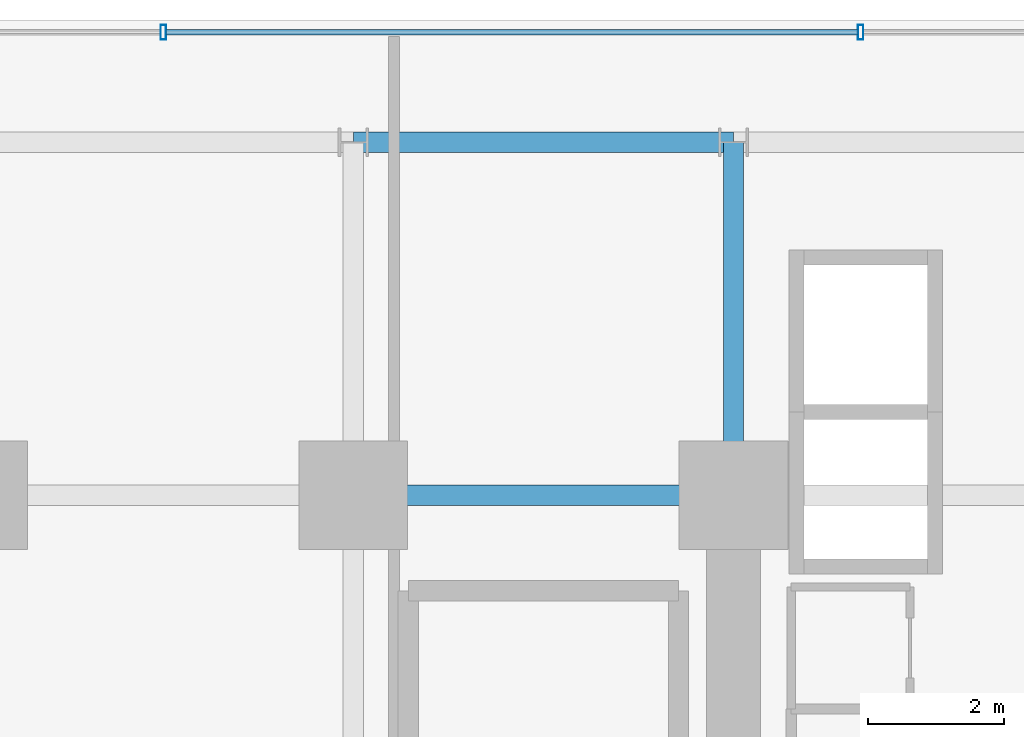
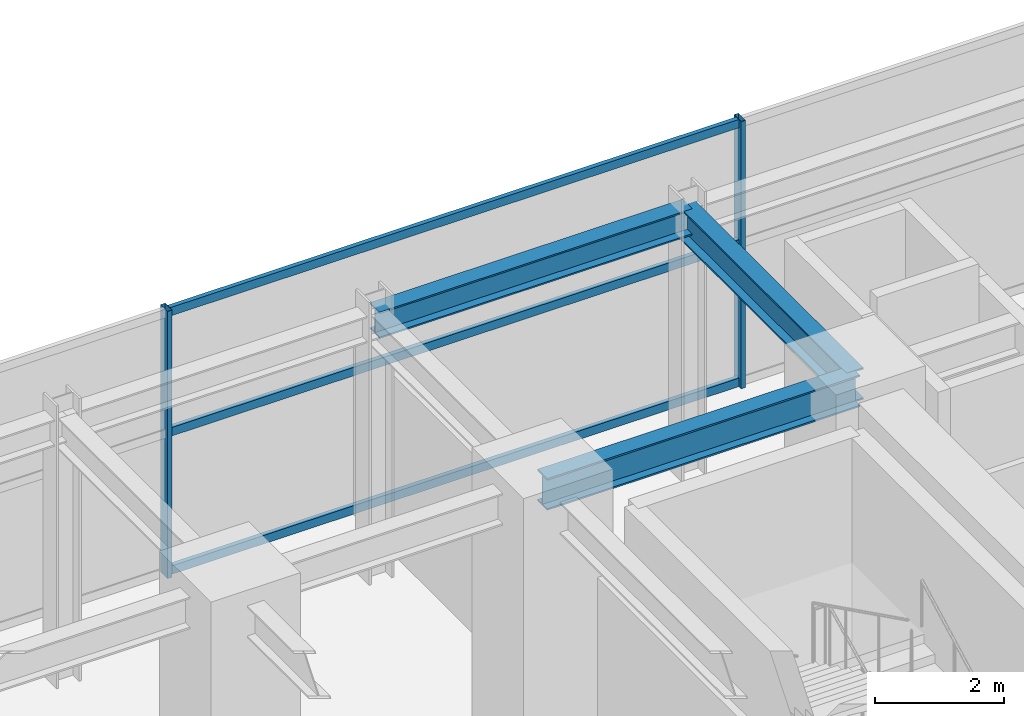
# One storey, part 18 of 32: 5 members, 3 beams, 1 element without a shape of its own.
"""IFC4 building model written with IfcOpenShell, lengths in metres."""

from ifc_helpers import new_model, si_unit, direction, frame, origin, origin_2d, place, context, subcontext, project, spatial, hollow_rectangle, i_section, extrude, source, transform, mapped, material, material_profile, profile_set, type_object, element, aggregate, save


model = new_model("IFC4")

# Units and contexts
model_context = context("Model", 3, precision=1e-05, world=origin(), true_north=direction((0.0, 1.0)))
body_context = subcontext(model_context, "Body", "Model", "MODEL_VIEW")
ifc_project = project(units=[si_unit("LENGTHUNIT", "METRE"), si_unit("AREAUNIT", "SQUARE_METRE"), si_unit("VOLUMEUNIT", "CUBIC_METRE"), si_unit("PLANEANGLEUNIT", "RADIAN"), si_unit("MASSUNIT", "GRAM", prefix="KILO")], contexts=[model_context])

# Site, building, storey
site_placement = place(None, origin())
site = spatial("IfcSite", under=ifc_project, at=site_placement, CompositionType="ELEMENT")
building_placement = place(site_placement, origin())
building = spatial("IfcBuilding", under=site, at=building_placement, Name="Nahalor Promenade Grand Hotel", CompositionType="ELEMENT")
storey_placement = place(building_placement, frame((0.0, 0.0, 10.800048828125)))
storey = spatial("IfcBuildingStorey", under=building, at=storey_placement, Name="L02", CompositionType="ELEMENT", Elevation=10.800048828125)

# Beams
ifc_material_1 = material(Name="Steel S355JR", Category="steel")
ifc_material_profile_1 = material_profile(ifc_material_1, i_section(OverallWidth=0.3, OverallDepth=0.6, WebThickness=0.0155, FlangeThickness=0.03, at=origin_2d()), Name="HEB 600")
ifc_profile_set_1 = profile_set([ifc_material_profile_1], Name="Steel S355JR")
beam_type_1 = type_object("IfcBeamType", Name="Beam-Girder-HEB600", PredefinedType="BEAM", material=ifc_profile_set_1)
shared_shape_1 = source(origin(), body_context, "Body", "SweptSolid", [
    extrude(i_section(OverallWidth=0.3, OverallDepth=0.6, WebThickness=0.0155, FlangeThickness=0.03, at=origin_2d()), origin(), (0.0, 0.0, 1.0), 5.599853515625),
])
beam_1_placement = place(storey_placement, frame((2.800048828125, 17.0, 4.760009765625), z_axis=(1.0, 0.0, 0.0), x_axis=(0.0, 1.0, 0.0)))
element("IfcBeam", 1, at=beam_1_placement, inside=storey, type_object=beam_type_1, Name="BM-L02-GX-3-5", PredefinedType="BEAM", context=body_context, shape_type="MappedRepresentation", body=[
    mapped(shared_shape_1, transform((0.0, 0.0, 0.0), scale=1.0)),
])
shared_shape_2 = source(origin(), body_context, "Body", "SweptSolid", [
    extrude(i_section(OverallWidth=0.3, OverallDepth=0.6, WebThickness=0.0155, FlangeThickness=0.03, at=origin_2d()), origin(), (0.0, 0.0, 1.0), 5.199951171875),
])
beam_2_placement = place(storey_placement, frame((8.39990234375, 17.0, 4.760009765625), z_axis=(0.0, 1.0, 0.0), x_axis=(-1.0, 0.0, 0.0)))
element("IfcBeam", 2, at=beam_2_placement, inside=storey, type_object=beam_type_1, Name="BM-L02-GY-4-4", PredefinedType="BEAM", context=body_context, shape_type="MappedRepresentation", body=[
    mapped(shared_shape_2, transform((0.0, 0.0, 0.0), scale=1.0)),
])
ifc_material_profile_2 = material_profile(ifc_material_1, i_section(OverallWidth=0.3, OverallDepth=0.5, WebThickness=0.0145, FlangeThickness=0.028, at=origin_2d()), Name="HEB 500")
ifc_profile_set_2 = profile_set([ifc_material_profile_2], Name="Steel S355JR")
beam_type_2 = type_object("IfcBeamType", Name="Beam-Spandrel-HEB500", PredefinedType="SPANDREL", material=ifc_profile_set_2)
shared_shape_3 = source(origin(), body_context, "Body", "SweptSolid", [
    extrude(i_section(OverallWidth=0.3, OverallDepth=0.5, WebThickness=0.0145, FlangeThickness=0.028, at=origin_2d()), origin(), (0.0, 0.0, 1.0), 5.599853515625),
])
beam_3_placement = place(storey_placement, frame((2.800048828125, 22.199951171875, 4.81005859375), z_axis=(1.0, 0.0, 0.0), x_axis=(0.0, 1.0, 0.0)))
element("IfcBeam", 3, at=beam_3_placement, inside=storey, type_object=beam_type_2, Name="BM-L02-SP-N-3", PredefinedType="SPANDREL", context=body_context, shape_type="MappedRepresentation", body=[
    mapped(shared_shape_3, transform((0.0, 0.0, 0.0), scale=1.0)),
])

# Curtain wall, members
ifc_material_2 = material(Name="Anodised Bronze Aluminium EN AW-6063 T6", Category="aluminium")
curtain_wall_type = type_object("IfcCurtainWallType", Name="CW1 Waterfront Podium Bronze Arcade Curtain Wall", PredefinedType="USERDEFINED", material=ifc_material_2)
curtain_wall_placement = place(storey_placement, origin())
curtain_wall = element("IfcCurtainWall", 4, at=curtain_wall_placement, inside=storey, type_object=curtain_wall_type, Name="L02 Curtain Wall CW-L02-N", ObjectType="UNITISED_CURTAIN_WALL", PredefinedType="USERDEFINED")
ifc_material_profile_3 = material_profile(ifc_material_2, hollow_rectangle(XDim=0.08, YDim=0.22, WallThickness=0.005, at=origin_2d()), Name="CWM 80x220x5")
ifc_profile_set_3 = profile_set([ifc_material_profile_3], Name="Anodised Bronze Aluminium EN AW-6063 T6")
member_type_1 = type_object("IfcMemberType", Name="CWM1 Podium Bronze Mullion 80x220", PredefinedType="MULLION", material=ifc_profile_set_3)
shared_shape_4 = source(origin(), body_context, "Body", "SweptSolid", [
    extrude(hollow_rectangle(XDim=0.08, YDim=0.22, WallThickness=0.005, at=origin_2d()), origin(), (0.0, 0.0, 1.0), 5.06005859375),
])
member_1_placement = place(storey_placement, frame((0.0, 23.820068359375, 0.0), z_axis=(0.0, 0.0, 1.0), x_axis=(1.0, 0.0, 0.0)))
member_1 = element("IfcMember", 5, at=member_1_placement, type_object=member_type_1, Name="CW-L02-N Mullion 3", PredefinedType="MULLION", context=body_context, shape_type="MappedRepresentation", body=[
    mapped(shared_shape_4, transform((0.0, 0.0, 0.0), scale=1.0)),
])
member_2_placement = place(storey_placement, frame((10.2734375, 23.820068359375, 0.0), z_axis=(0.0, 0.0, 1.0), x_axis=(1.0, 0.0, 0.0)))
member_2 = element("IfcMember", 6, at=member_2_placement, type_object=member_type_1, Name="CW-L02-N Mullion 4", PredefinedType="MULLION", context=body_context, shape_type="MappedRepresentation", body=[
    mapped(shared_shape_4, transform((0.0, 0.0, 0.0), scale=1.0)),
])
ifc_material_profile_4 = material_profile(ifc_material_2, hollow_rectangle(XDim=0.08, YDim=0.16, WallThickness=0.004, at=origin_2d()), Name="CWT 80x160x4")
ifc_profile_set_4 = profile_set([ifc_material_profile_4], Name="Anodised Bronze Aluminium EN AW-6063 T6")
member_type_2 = type_object("IfcMemberType", Name="CWT1 Podium Bronze Transom 80x160", PredefinedType="USERDEFINED", material=ifc_profile_set_4)
shared_shape_5 = source(origin(), body_context, "Body", "SweptSolid", [
    extrude(hollow_rectangle(XDim=0.08, YDim=0.16, WallThickness=0.004, at=origin_2d()), origin(), (0.0, 0.0, 1.0), 10.193359375),
])
member_3_placement = place(storey_placement, frame((0.0400390625, 23.820068359375, 0.079833984375), z_axis=(1.0, 0.0, 0.0), x_axis=(0.0, 1.0, 0.0)))
member_3 = element("IfcMember", 7, at=member_3_placement, type_object=member_type_2, Name="CW-L02-N Transom 3-0", ObjectType="TRANSOM", PredefinedType="USERDEFINED", context=body_context, shape_type="MappedRepresentation", body=[
    mapped(shared_shape_5, transform((0.0, 0.0, 0.0), scale=1.0)),
])
member_4_placement = place(storey_placement, frame((0.0400390625, 23.820068359375, 2.699951171875), z_axis=(1.0, 0.0, 0.0), x_axis=(0.0, 1.0, 0.0)))
member_4 = element("IfcMember", 8, at=member_4_placement, type_object=member_type_2, Name="CW-L02-N Transom 3-1", ObjectType="TRANSOM", PredefinedType="USERDEFINED", context=body_context, shape_type="MappedRepresentation", body=[
    mapped(shared_shape_5, transform((0.0, 0.0, 0.0), scale=1.0)),
])
member_5_placement = place(storey_placement, frame((0.0400390625, 23.820068359375, 4.97998046875), z_axis=(1.0, 0.0, 0.0), x_axis=(0.0, 1.0, 0.0)))
member_5 = element("IfcMember", 9, at=member_5_placement, type_object=member_type_2, Name="CW-L02-N Transom 3-2", ObjectType="TRANSOM", PredefinedType="USERDEFINED", context=body_context, shape_type="MappedRepresentation", body=[
    mapped(shared_shape_5, transform((0.0, 0.0, 0.0), scale=1.0)),
])
aggregate(curtain_wall, [member_1, member_2, member_3, member_4, member_5])

save(model, "model.ifc")
